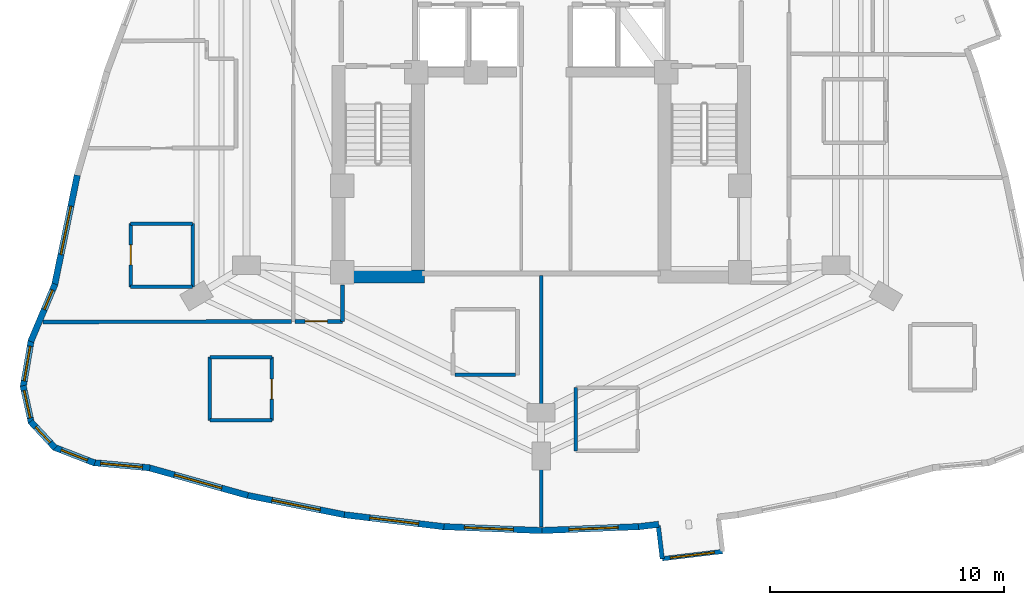
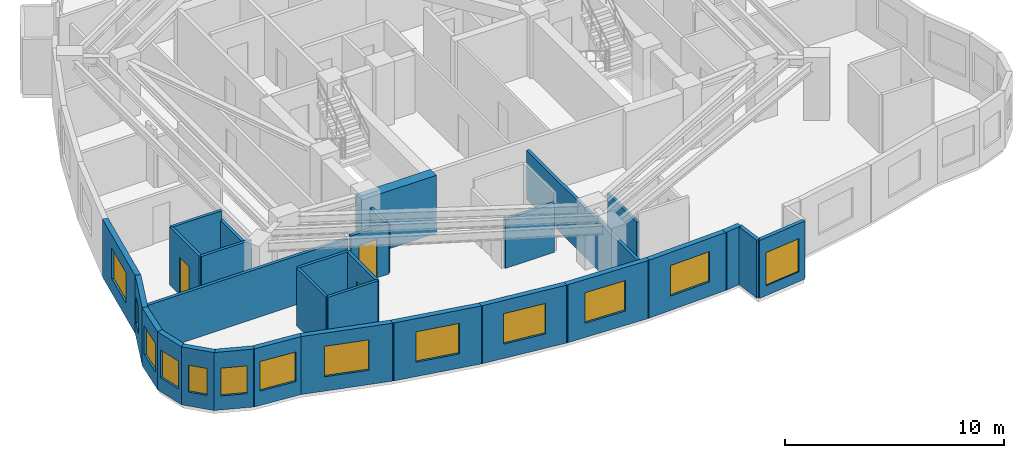
# One storey, part 6 of 12: 30 walls, 13 windows, 3 doors, 16 openings.
"""IFC4 building model written with IfcOpenShell, lengths in metres."""

from ifc_helpers import new_model, si_unit, direction, frame, frame_2d, origin, place, context, subcontext, project, spatial, rectangle, extrude, material, layer, layer_set, type_object, element, fill, save


model = new_model("IFC4")

# Units and contexts
model_context = context("Model", 3, precision=1e-05, world=origin(), true_north=direction((0.0, 1.0)))
body_context = subcontext(model_context, "Body", "Model", "MODEL_VIEW")
ifc_project = project(units=[si_unit("LENGTHUNIT", "METRE"), si_unit("AREAUNIT", "SQUARE_METRE"), si_unit("VOLUMEUNIT", "CUBIC_METRE"), si_unit("PLANEANGLEUNIT", "RADIAN"), si_unit("MASSUNIT", "GRAM", prefix="KILO")], contexts=[model_context])

# Site, building, storey
site_placement = place(None, origin())
site = spatial("IfcSite", under=ifc_project, at=site_placement, CompositionType="ELEMENT")
building_placement = place(site_placement, origin())
building = spatial("IfcBuilding", under=site, at=building_placement, Name="Miruveldt Soraemaru", CompositionType="ELEMENT")
storey_placement = place(building_placement, frame((0.0, 0.0, 110.89990234375)))
storey = spatial("IfcBuildingStorey", under=building, at=storey_placement, Name="L30", CompositionType="ELEMENT", Elevation=110.89990234375)

# Wall
ifc_material_1 = material(Name="White powder-coated aluminium EN AW-6060 T6", Category="aluminium")
ifc_layer_1 = layer(ifc_material_1, 0.18994140625, Name="White powder-coated aluminium EN AW-6060 T6", Category="aluminium")
ifc_layer_set_1 = layer_set([ifc_layer_1], Name="White powder-coated aluminium EN AW-6060 T6")
wall_type_1 = type_object("IfcWallType", Name="WALL-BAY-ALU190", PredefinedType="SOLIDWALL", material=ifc_layer_set_1)
wall_1_placement = place(storey_placement, frame((49.00439453125, 24.66650390625, 0.0), z_axis=(0.0, 0.0, 1.0), x_axis=(0.119246559468, -0.992864672579, 0.0)))
element("IfcWall", 1, at=wall_1_placement, inside=storey, type_object=wall_type_1, Name="L30 Bay Window Side Cheek 1L", PredefinedType="SOLIDWALL", context=body_context, shape_type="SweptSolid", body=[
    extrude(rectangle(XDim=1.425048828125, YDim=0.18994140625, at=frame_2d((0.71240234375, 0.0))), origin(), (0.0, 0.0, 1.0), 3.235107421875),
])

# Wall, opening, window
wall_2_placement = place(storey_placement, frame((49.17431640625, 23.251708984375, 0.0), z_axis=(0.0, 0.0, 1.0), x_axis=(0.992885278793, 0.119074863663, 0.0)))
wall_2 = element("IfcWall", 2, at=wall_2_placement, inside=storey, type_object=wall_type_1, Name="L30 Bay Window Front Frame 1", PredefinedType="SOLIDWALL", context=body_context, shape_type="SweptSolid", body=[
    extrude(rectangle(XDim=2.599853515625, YDim=0.18994140625, at=frame_2d((1.2998046875, 0.0))), origin(), (0.0, 0.0, 1.0), 3.235107421875),
])
opening_1_placement = place(wall_2_placement, frame((0.35009765625, 0.0, 0.550048828125)))
opening_1 = element("IfcOpeningElement", 3, at=opening_1_placement, cuts=wall_2, Name="Opening WN-6", PredefinedType="OPENING", context=body_context, shape_type="SweptSolid", body=[
    extrude(rectangle(XDim=1.89990234375, YDim=1.85009765625, at=frame_2d((0.949951171875, 0.925048828125))), frame((0.0, 0.10498046875, 0.0), z_axis=(0.0, -1.0, 0.0), x_axis=(1.0, 0.0, 0.0)), (0.0, 0.0, 1.0), 0.2099609375),
])
ifc_material_2 = material(Name="Triple low-e insulated glazing", Category="glass")
window_type_1 = type_object("IfcWindowType", Name="WIN-BAYW-1900x1850", PartitioningType="SINGLE_PANEL", PredefinedType="WINDOW", material=ifc_material_2)
window_1_placement = place(opening_1_placement, origin())
window_1 = element("IfcWindow", 4, at=window_1_placement, inside=storey, type_object=window_type_1, Name="L30 Projecting Bay Window 1", OverallHeight=1.85009765625, OverallWidth=1.89990234375, PartitioningType="SINGLE_PANEL", PredefinedType="WINDOW", context=body_context, shape_type="SweptSolid", body=[
    extrude(rectangle(XDim=1.89990234375, YDim=1.85009765625, at=frame_2d((0.949951171875, 0.925048828125))), frame((0.0, 0.030029296875, 0.0), z_axis=(0.0, -1.0, 0.0), x_axis=(1.0, 0.0, 0.0)), (0.0, 0.0, 1.0), 0.06005859375),
])
fill(opening_1, window_1)

# Wall
ifc_material_3 = material(Name="Concrete C70/85 (70 MPa)", Category="concrete")
ifc_layer_2 = layer(ifc_material_3, 0.550048828125, Name="Concrete C70/85 (70 MPa)", Category="concrete")
ifc_layer_set_2 = layer_set([ifc_layer_2], Name="Concrete C70/85 (70 MPa)")
wall_type_2 = type_object("IfcWallType", Name="WALL-CW-550", PredefinedType="SHEAR", material=ifc_layer_set_2)
wall_3_placement = place(storey_placement, frame((35.050048828125, 35.324951171875, 0.0), z_axis=(0.0, 0.0, 1.0), x_axis=(1.0, 0.0, 0.0)))
element("IfcWall", 5, at=wall_3_placement, inside=storey, type_object=wall_type_2, Name="L30 Central Core Shear Wall S1", PredefinedType="SHEAR", context=body_context, shape_type="SweptSolid", body=[
    extrude(rectangle(XDim=3.949951171875, YDim=0.550048828125, at=frame_2d((1.97509765625, 0.0))), origin(), (0.0, 0.0, 1.0), 3.235107421875),
])

# Wall, opening, window
ifc_material_4 = material(Name="Precast concrete C45/55 (45 MPa)", Category="concrete")
ifc_layer_3 = layer(ifc_material_4, 0.27001953125, Name="Precast concrete C45/55 (45 MPa)", Category="concrete")
ifc_layer_set_3 = layer_set([ifc_layer_3], Name="Precast concrete C45/55 (45 MPa)")
wall_type_3 = type_object("IfcWallType", Name="WALL-EXT-PC270", PredefinedType="SOLIDWALL", material=ifc_layer_set_3)
wall_4_placement = place(storey_placement, frame((24.16162109375, 39.652099609375, 0.0), z_axis=(0.0, 0.0, 1.0), x_axis=(-0.201557182252, -0.97947674923, 0.0)))
wall_4 = element("IfcWall", 6, at=wall_4_placement, inside=storey, type_object=wall_type_3, Name="L30 Precast Concrete Facade Wall 14", PredefinedType="SOLIDWALL", context=body_context, shape_type="SweptSolid", body=[
    extrude(rectangle(XDim=4.82080078125, YDim=0.27001953125, at=frame_2d((2.410400390625, 0.0))), origin(), (0.0, 0.0, 1.0), 3.235107421875),
])
opening_2_placement = place(wall_4_placement, frame((1.360107421875, 0.0, 0.800048828125)))
opening_2 = element("IfcOpeningElement", 7, at=opening_2_placement, cuts=wall_4, Name="Opening WN-1", PredefinedType="OPENING", context=body_context, shape_type="SweptSolid", body=[
    extrude(rectangle(XDim=2.10009765625, YDim=1.699951171875, at=frame_2d((1.050048828125, 0.85009765625))), frame((0.0, 0.14501953125, 0.0), z_axis=(0.0, -1.0, 0.0), x_axis=(1.0, 0.0, 0.0)), (0.0, 0.0, 1.0), 0.2900390625),
])
window_type_2 = type_object("IfcWindowType", Name="WIN-PUNCH-2100x1700", PartitioningType="SINGLE_PANEL", PredefinedType="WINDOW", material=ifc_material_2)
window_2_placement = place(opening_2_placement, origin())
window_2 = element("IfcWindow", 8, at=window_2_placement, inside=storey, type_object=window_type_2, Name="L30 Punched Triple-Glazed Window 14.1", OverallHeight=1.699951171875, OverallWidth=2.10009765625, PartitioningType="SINGLE_PANEL", PredefinedType="WINDOW", context=body_context, shape_type="SweptSolid", body=[
    extrude(rectangle(XDim=2.10009765625, YDim=1.699951171875, at=frame_2d((1.050048828125, 0.85009765625))), frame((0.0, 0.030029296875, 0.0), z_axis=(0.0, -1.0, 0.0), x_axis=(1.0, 0.0, 0.0)), (0.0, 0.0, 1.0), 0.06005859375),
])
fill(opening_2, window_2)

wall_5_placement = place(storey_placement, frame((23.210693359375, 34.99658203125, 0.0), z_axis=(0.0, 0.0, 1.0), x_axis=(-0.38867133727, -0.921376465721, 0.0)))
wall_5 = element("IfcWall", 9, at=wall_5_placement, inside=storey, type_object=wall_type_3, Name="L30 Precast Concrete Facade Wall 15", PredefinedType="SOLIDWALL", context=body_context, shape_type="SweptSolid", body=[
    extrude(rectangle(XDim=2.66455078125, YDim=0.27001953125, at=frame_2d((1.332275390625, 0.0))), origin(), (0.0, 0.0, 1.0), 3.235107421875),
])
opening_3_placement = place(wall_5_placement, frame((0.279052734375, 0.0, 0.780029296875)))
opening_3 = element("IfcOpeningElement", 10, at=opening_3_placement, cuts=wall_5, Name="Opening WN-7", PredefinedType="OPENING", context=body_context, shape_type="SweptSolid", body=[
    extrude(rectangle(XDim=0.89990234375, YDim=1.5, at=frame_2d((0.449951171875, 0.75))), frame((0.0, 0.14501953125, 0.0), z_axis=(0.0, -1.0, 0.0), x_axis=(1.0, 0.0, 0.0)), (0.0, 0.0, 1.0), 0.2900390625),
])
window_type_3 = type_object("IfcWindowType", Name="WIN-PUNCH-900x1500", PartitioningType="SINGLE_PANEL", PredefinedType="WINDOW", material=ifc_material_2)
window_3_placement = place(opening_3_placement, origin())
window_3 = element("IfcWindow", 11, at=window_3_placement, inside=storey, type_object=window_type_3, Name="L30 Punched Triple-Glazed Window 15.1", OverallHeight=1.5, OverallWidth=0.89990234375, PartitioningType="SINGLE_PANEL", PredefinedType="WINDOW", context=body_context, shape_type="SweptSolid", body=[
    extrude(rectangle(XDim=0.89990234375, YDim=1.5, at=frame_2d((0.449951171875, 0.75))), frame((0.0, 0.030029296875, 0.0), z_axis=(0.0, -1.0, 0.0), x_axis=(1.0, 0.0, 0.0)), (0.0, 0.0, 1.0), 0.06005859375),
])
fill(opening_3, window_3)

wall_6_placement = place(storey_placement, frame((22.194580078125, 32.608154296875, 0.0), z_axis=(0.0, 0.0, 1.0), x_axis=(-0.16931007095, -0.985562834057, 0.0)))
wall_6 = element("IfcWall", 12, at=wall_6_placement, inside=storey, type_object=wall_type_3, Name="L30 Precast Concrete Facade Wall 16", PredefinedType="SOLIDWALL", context=body_context, shape_type="SweptSolid", body=[
    extrude(rectangle(XDim=2.054931640625, YDim=0.27001953125, at=frame_2d((1.02734375, 0.0))), origin(), (0.0, 0.0, 1.0), 3.235107421875),
])
opening_4_placement = place(wall_6_placement, frame((0.278076171875, 0.0, 0.800048828125)))
opening_4 = element("IfcOpeningElement", 13, at=opening_4_placement, cuts=wall_6, Name="Opening WN-3", PredefinedType="OPENING", context=body_context, shape_type="SweptSolid", body=[
    extrude(rectangle(XDim=1.5, YDim=1.60009765625, at=frame_2d((0.75, 0.800048828125))), frame((0.0, 0.14501953125, 0.0), z_axis=(0.0, -1.0, 0.0), x_axis=(1.0, 0.0, 0.0)), (0.0, 0.0, 1.0), 0.2900390625),
])
window_type_4 = type_object("IfcWindowType", Name="WIN-PUNCH-1500x1600", PartitioningType="SINGLE_PANEL", PredefinedType="WINDOW", material=ifc_material_2)
window_4_placement = place(opening_4_placement, origin())
window_4 = element("IfcWindow", 14, at=window_4_placement, inside=storey, type_object=window_type_4, Name="L30 Punched Triple-Glazed Window 16.1", OverallHeight=1.60009765625, OverallWidth=1.5, PartitioningType="SINGLE_PANEL", PredefinedType="WINDOW", context=body_context, shape_type="SweptSolid", body=[
    extrude(rectangle(XDim=1.5, YDim=1.60009765625, at=frame_2d((0.75, 0.800048828125))), frame((0.0, 0.030029296875, 0.0), z_axis=(0.0, -1.0, 0.0), x_axis=(1.0, 0.0, 0.0)), (0.0, 0.0, 1.0), 0.06005859375),
])
fill(opening_4, window_4)

wall_7_placement = place(storey_placement, frame((21.844970703125, 30.651611328125, 0.0), z_axis=(0.0, 0.0, 1.0), x_axis=(0.215628344591, -0.976475507634, 0.0)))
wall_7 = element("IfcWall", 15, at=wall_7_placement, inside=storey, type_object=wall_type_3, Name="L30 Precast Concrete Facade Wall 17", PredefinedType="SOLIDWALL", context=body_context, shape_type="SweptSolid", body=[
    extrude(rectangle(XDim=1.628173828125, YDim=0.27001953125, at=frame_2d((0.81396484375, 0.0))), origin(), (0.0, 0.0, 1.0), 3.235107421875),
])
opening_5_placement = place(wall_7_placement, frame((0.214111328125, 0.0, 0.780029296875)))
opening_5 = element("IfcOpeningElement", 16, at=opening_5_placement, cuts=wall_7, Name="Opening WN-4", PredefinedType="OPENING", context=body_context, shape_type="SweptSolid", body=[
    extrude(rectangle(XDim=1.199951171875, YDim=1.550048828125, at=frame_2d((0.60009765625, 0.77490234375))), frame((0.0, 0.14501953125, 0.0), z_axis=(0.0, -1.0, 0.0), x_axis=(1.0, 0.0, 0.0)), (0.0, 0.0, 1.0), 0.2900390625),
])
window_type_5 = type_object("IfcWindowType", Name="WIN-PUNCH-1200x1550", PartitioningType="SINGLE_PANEL", PredefinedType="WINDOW", material=ifc_material_2)
window_5_placement = place(opening_5_placement, origin())
window_5 = element("IfcWindow", 17, at=window_5_placement, inside=storey, type_object=window_type_5, Name="L30 Punched Triple-Glazed Window 17.1", OverallHeight=1.550048828125, OverallWidth=1.199951171875, PartitioningType="SINGLE_PANEL", PredefinedType="WINDOW", context=body_context, shape_type="SweptSolid", body=[
    extrude(rectangle(XDim=1.199951171875, YDim=1.550048828125, at=frame_2d((0.60009765625, 0.77490234375))), frame((0.0, 0.030029296875, 0.0), z_axis=(0.0, -1.0, 0.0), x_axis=(1.0, 0.0, 0.0)), (0.0, 0.0, 1.0), 0.06005859375),
])
fill(opening_5, window_5)

wall_8_placement = place(storey_placement, frame((22.164794921875, 29.12158203125, 0.0), z_axis=(0.0, 0.0, 1.0), x_axis=(0.68019166937, -0.733034305418, 0.0)))
wall_8 = element("IfcWall", 18, at=wall_8_placement, inside=storey, type_object=wall_type_3, Name="L30 Precast Concrete Facade Wall 18", PredefinedType="SOLIDWALL", context=body_context, shape_type="SweptSolid", body=[
    extrude(rectangle(XDim=1.552490234375, YDim=0.27001953125, at=frame_2d((0.7763671875, 0.0))), origin(), (0.0, 0.0, 1.0), 3.235107421875),
])
opening_6_placement = place(wall_8_placement, frame((0.325927734375, 0.0, 0.780029296875)))
opening_6 = element("IfcOpeningElement", 19, at=opening_6_placement, cuts=wall_8, Name="Opening WN-7", PredefinedType="OPENING", context=body_context, shape_type="SweptSolid", body=[
    extrude(rectangle(XDim=0.89990234375, YDim=1.5, at=frame_2d((0.449951171875, 0.75))), frame((0.0, 0.14501953125, 0.0), z_axis=(0.0, -1.0, 0.0), x_axis=(1.0, 0.0, 0.0)), (0.0, 0.0, 1.0), 0.2900390625),
])
window_6_placement = place(opening_6_placement, origin())
window_6 = element("IfcWindow", 20, at=window_6_placement, inside=storey, type_object=window_type_3, Name="L30 Punched Triple-Glazed Window 18.1", OverallHeight=1.5, OverallWidth=0.89990234375, PartitioningType="SINGLE_PANEL", PredefinedType="WINDOW", context=body_context, shape_type="SweptSolid", body=[
    extrude(rectangle(XDim=0.89990234375, YDim=1.5, at=frame_2d((0.449951171875, 0.75))), frame((0.0, 0.030029296875, 0.0), z_axis=(0.0, -1.0, 0.0), x_axis=(1.0, 0.0, 0.0)), (0.0, 0.0, 1.0), 0.06005859375),
])
fill(opening_6, window_6)

wall_9_placement = place(storey_placement, frame((23.164306640625, 28.02197265625, 0.0), z_axis=(0.0, 0.0, 1.0), x_axis=(0.932266214278, -0.361773003023, 0.0)))
wall_9 = element("IfcWall", 21, at=wall_9_placement, inside=storey, type_object=wall_type_3, Name="L30 Precast Concrete Facade Wall 19", PredefinedType="SOLIDWALL", context=body_context, shape_type="SweptSolid", body=[
    extrude(rectangle(XDim=1.872802734375, YDim=0.27001953125, at=frame_2d((0.9365234375, 0.0))), origin(), (0.0, 0.0, 1.0), 3.235107421875),
])
opening_7_placement = place(wall_9_placement, frame((0.3369140625, 0.0, 0.780029296875)))
opening_7 = element("IfcOpeningElement", 22, at=opening_7_placement, cuts=wall_9, Name="Opening WN-4", PredefinedType="OPENING", context=body_context, shape_type="SweptSolid", body=[
    extrude(rectangle(XDim=1.199951171875, YDim=1.550048828125, at=frame_2d((0.60009765625, 0.77490234375))), frame((0.0, 0.14501953125, 0.0), z_axis=(0.0, -1.0, 0.0), x_axis=(1.0, 0.0, 0.0)), (0.0, 0.0, 1.0), 0.2900390625),
])
window_7_placement = place(opening_7_placement, origin())
window_7 = element("IfcWindow", 23, at=window_7_placement, inside=storey, type_object=window_type_5, Name="L30 Punched Triple-Glazed Window 19.1", OverallHeight=1.550048828125, OverallWidth=1.199951171875, PartitioningType="SINGLE_PANEL", PredefinedType="WINDOW", context=body_context, shape_type="SweptSolid", body=[
    extrude(rectangle(XDim=1.199951171875, YDim=1.550048828125, at=frame_2d((0.60009765625, 0.77490234375))), frame((0.0, 0.030029296875, 0.0), z_axis=(0.0, -1.0, 0.0), x_axis=(1.0, 0.0, 0.0)), (0.0, 0.0, 1.0), 0.06005859375),
])
fill(opening_7, window_7)

wall_10_placement = place(storey_placement, frame((24.8427734375, 27.360595703125, 0.0), z_axis=(0.0, 0.0, 1.0), x_axis=(0.995757206461, -0.092019485874, 0.0)))
wall_10 = element("IfcWall", 24, at=wall_10_placement, inside=storey, type_object=wall_type_3, Name="L30 Precast Concrete Facade Wall 20", PredefinedType="SOLIDWALL", context=body_context, shape_type="SweptSolid", body=[
    extrude(rectangle(XDim=2.432861328125, YDim=0.27001953125, at=frame_2d((1.21630859375, 0.0))), origin(), (0.0, 0.0, 1.0), 3.235107421875),
])
opening_8_placement = place(wall_10_placement, frame((0.31689453125, 0.0, 0.800048828125)))
opening_8 = element("IfcOpeningElement", 25, at=opening_8_placement, cuts=wall_10, Name="Opening WN-2", PredefinedType="OPENING", context=body_context, shape_type="SweptSolid", body=[
    extrude(rectangle(XDim=1.800048828125, YDim=1.64990234375, at=frame_2d((0.89990234375, 0.824951171875))), frame((0.0, 0.14501953125, 0.0), z_axis=(0.0, -1.0, 0.0), x_axis=(1.0, 0.0, 0.0)), (0.0, 0.0, 1.0), 0.2900390625),
])
window_type_6 = type_object("IfcWindowType", Name="WIN-PUNCH-1800x1650", PartitioningType="SINGLE_PANEL", PredefinedType="WINDOW", material=ifc_material_2)
window_8_placement = place(opening_8_placement, origin())
window_8 = element("IfcWindow", 26, at=window_8_placement, inside=storey, type_object=window_type_6, Name="L30 Punched Triple-Glazed Window 20.1", OverallHeight=1.64990234375, OverallWidth=1.800048828125, PartitioningType="SINGLE_PANEL", PredefinedType="WINDOW", context=body_context, shape_type="SweptSolid", body=[
    extrude(rectangle(XDim=1.800048828125, YDim=1.64990234375, at=frame_2d((0.89990234375, 0.824951171875))), frame((0.0, 0.030029296875, 0.0), z_axis=(0.0, -1.0, 0.0), x_axis=(1.0, 0.0, 0.0)), (0.0, 0.0, 1.0), 0.06005859375),
])
fill(opening_8, window_8)

wall_11_placement = place(storey_placement, frame((27.19677734375, 27.1494140625, 0.0), z_axis=(0.0, 0.0, 1.0), x_axis=(0.962970324639, -0.269607406916, 0.0)))
wall_11 = element("IfcWall", 27, at=wall_11_placement, inside=storey, type_object=wall_type_3, Name="L30 Precast Concrete Facade Wall 21", PredefinedType="SOLIDWALL", context=body_context, shape_type="SweptSolid", body=[
    extrude(rectangle(XDim=4.423583984375, YDim=0.27001953125, at=frame_2d((2.2119140625, 0.0))), origin(), (0.0, 0.0, 1.0), 3.235107421875),
])
opening_9_placement = place(wall_11_placement, frame((1.162109375, 0.0, 0.800048828125)))
opening_9 = element("IfcOpeningElement", 28, at=opening_9_placement, cuts=wall_11, Name="Opening WN-1", PredefinedType="OPENING", context=body_context, shape_type="SweptSolid", body=[
    extrude(rectangle(XDim=2.10009765625, YDim=1.699951171875, at=frame_2d((1.050048828125, 0.85009765625))), frame((0.0, 0.14501953125, 0.0), z_axis=(0.0, -1.0, 0.0), x_axis=(1.0, 0.0, 0.0)), (0.0, 0.0, 1.0), 0.2900390625),
])
window_9_placement = place(opening_9_placement, origin())
window_9 = element("IfcWindow", 29, at=window_9_placement, inside=storey, type_object=window_type_2, Name="L30 Punched Triple-Glazed Window 21.1", OverallHeight=1.699951171875, OverallWidth=2.10009765625, PartitioningType="SINGLE_PANEL", PredefinedType="WINDOW", context=body_context, shape_type="SweptSolid", body=[
    extrude(rectangle(XDim=2.10009765625, YDim=1.699951171875, at=frame_2d((1.050048828125, 0.85009765625))), frame((0.0, 0.030029296875, 0.0), z_axis=(0.0, -1.0, 0.0), x_axis=(1.0, 0.0, 0.0)), (0.0, 0.0, 1.0), 0.06005859375),
])
fill(opening_9, window_9)

wall_12_placement = place(storey_placement, frame((31.388427734375, 25.972900390625, 0.0), z_axis=(0.0, 0.0, 1.0), x_axis=(0.98057635362, -0.196137744255, 0.0)))
wall_12 = element("IfcWall", 30, at=wall_12_placement, inside=storey, type_object=wall_type_3, Name="L30 Precast Concrete Facade Wall 22", PredefinedType="SOLIDWALL", context=body_context, shape_type="SweptSolid", body=[
    extrude(rectangle(XDim=4.345458984375, YDim=0.27001953125, at=frame_2d((2.1728515625, 0.0))), origin(), (0.0, 0.0, 1.0), 3.235107421875),
])
opening_10_placement = place(wall_12_placement, frame((1.1220703125, 0.0, 0.800048828125)))
opening_10 = element("IfcOpeningElement", 31, at=opening_10_placement, cuts=wall_12, Name="Opening WN-1", PredefinedType="OPENING", context=body_context, shape_type="SweptSolid", body=[
    extrude(rectangle(XDim=2.10009765625, YDim=1.699951171875, at=frame_2d((1.050048828125, 0.85009765625))), frame((0.0, 0.14501953125, 0.0), z_axis=(0.0, -1.0, 0.0), x_axis=(1.0, 0.0, 0.0)), (0.0, 0.0, 1.0), 0.2900390625),
])
window_10_placement = place(opening_10_placement, origin())
window_10 = element("IfcWindow", 32, at=window_10_placement, inside=storey, type_object=window_type_2, Name="L30 Punched Triple-Glazed Window 22.1", OverallHeight=1.699951171875, OverallWidth=2.10009765625, PartitioningType="SINGLE_PANEL", PredefinedType="WINDOW", context=body_context, shape_type="SweptSolid", body=[
    extrude(rectangle(XDim=2.10009765625, YDim=1.699951171875, at=frame_2d((1.050048828125, 0.85009765625))), frame((0.0, 0.030029296875, 0.0), z_axis=(0.0, -1.0, 0.0), x_axis=(1.0, 0.0, 0.0)), (0.0, 0.0, 1.0), 0.06005859375),
])
fill(opening_10, window_10)

wall_13_placement = place(storey_placement, frame((35.580322265625, 25.1318359375, 0.0), z_axis=(0.0, 0.0, 1.0), x_axis=(0.992875761938, -0.119154191514, 0.0)))
wall_13 = element("IfcWall", 33, at=wall_13_placement, inside=storey, type_object=wall_type_3, Name="L30 Precast Concrete Facade Wall 23", PredefinedType="SOLIDWALL", context=body_context, shape_type="SweptSolid", body=[
    extrude(rectangle(XDim=4.29248046875, YDim=0.27001953125, at=frame_2d((2.146240234375, 0.0))), origin(), (0.0, 0.0, 1.0), 3.235107421875),
])
opening_11_placement = place(wall_13_placement, frame((1.096923828125, 0.0, 0.800048828125)))
opening_11 = element("IfcOpeningElement", 34, at=opening_11_placement, cuts=wall_13, Name="Opening WN-1", PredefinedType="OPENING", context=body_context, shape_type="SweptSolid", body=[
    extrude(rectangle(XDim=2.10009765625, YDim=1.699951171875, at=frame_2d((1.050048828125, 0.85009765625))), frame((0.0, 0.14501953125, 0.0), z_axis=(0.0, -1.0, 0.0), x_axis=(1.0, 0.0, 0.0)), (0.0, 0.0, 1.0), 0.2900390625),
])
window_11_placement = place(opening_11_placement, origin())
window_11 = element("IfcWindow", 35, at=window_11_placement, inside=storey, type_object=window_type_2, Name="L30 Punched Triple-Glazed Window 23.1", OverallHeight=1.699951171875, OverallWidth=2.10009765625, PartitioningType="SINGLE_PANEL", PredefinedType="WINDOW", context=body_context, shape_type="SweptSolid", body=[
    extrude(rectangle(XDim=2.10009765625, YDim=1.699951171875, at=frame_2d((1.050048828125, 0.85009765625))), frame((0.0, 0.030029296875, 0.0), z_axis=(0.0, -1.0, 0.0), x_axis=(1.0, 0.0, 0.0)), (0.0, 0.0, 1.0), 0.06005859375),
])
fill(opening_11, window_11)

wall_14_placement = place(storey_placement, frame((39.772705078125, 24.6259765625, 0.0), z_axis=(0.0, 0.0, 1.0), x_axis=(0.999199403675, -0.040006895588, 0.0)))
wall_14 = element("IfcWall", 36, at=wall_14_placement, inside=storey, type_object=wall_type_3, Name="L30 Precast Concrete Facade Wall 24", PredefinedType="SOLIDWALL", context=body_context, shape_type="SweptSolid", body=[
    extrude(rectangle(XDim=4.265625, YDim=0.27001953125, at=frame_2d((2.1328125, 0.0))), origin(), (0.0, 0.0, 1.0), 3.235107421875),
])
opening_12_placement = place(wall_14_placement, frame((0.943115234375, 0.0, 0.800048828125)))
opening_12 = element("IfcOpeningElement", 37, at=opening_12_placement, cuts=wall_14, Name="Opening WN-1", PredefinedType="OPENING", context=body_context, shape_type="SweptSolid", body=[
    extrude(rectangle(XDim=2.10009765625, YDim=1.699951171875, at=frame_2d((1.050048828125, 0.85009765625))), frame((0.0, 0.14501953125, 0.0), z_axis=(0.0, -1.0, 0.0), x_axis=(1.0, 0.0, 0.0)), (0.0, 0.0, 1.0), 0.2900390625),
])
window_12_placement = place(opening_12_placement, origin())
window_12 = element("IfcWindow", 38, at=window_12_placement, inside=storey, type_object=window_type_2, Name="L30 Punched Triple-Glazed Window 24.1", OverallHeight=1.699951171875, OverallWidth=2.10009765625, PartitioningType="SINGLE_PANEL", PredefinedType="WINDOW", context=body_context, shape_type="SweptSolid", body=[
    extrude(rectangle(XDim=2.10009765625, YDim=1.699951171875, at=frame_2d((1.050048828125, 0.85009765625))), frame((0.0, 0.030029296875, 0.0), z_axis=(0.0, -1.0, 0.0), x_axis=(1.0, 0.0, 0.0)), (0.0, 0.0, 1.0), 0.06005859375),
])
fill(opening_12, window_12)

wall_15_placement = place(storey_placement, frame((43.965087890625, 24.455322265625, 0.0), z_axis=(0.0, 0.0, 1.0), x_axis=(0.999199403675, 0.040006895588, 0.0)))
wall_15 = element("IfcWall", 39, at=wall_15_placement, inside=storey, type_object=wall_type_3, Name="L30 Precast Concrete Facade Wall 25", PredefinedType="SOLIDWALL", context=body_context, shape_type="SweptSolid", body=[
    extrude(rectangle(XDim=4.265625, YDim=0.27001953125, at=frame_2d((2.1328125, 0.0))), origin(), (0.0, 0.0, 1.0), 3.235107421875),
])
opening_13_placement = place(wall_15_placement, frame((1.22412109375, 0.0, 0.800048828125)))
opening_13 = element("IfcOpeningElement", 40, at=opening_13_placement, cuts=wall_15, Name="Opening WN-1", PredefinedType="OPENING", context=body_context, shape_type="SweptSolid", body=[
    extrude(rectangle(XDim=2.10009765625, YDim=1.699951171875, at=frame_2d((1.050048828125, 0.85009765625))), frame((0.0, 0.14501953125, 0.0), z_axis=(0.0, -1.0, 0.0), x_axis=(1.0, 0.0, 0.0)), (0.0, 0.0, 1.0), 0.2900390625),
])
window_13_placement = place(opening_13_placement, origin())
window_13 = element("IfcWindow", 41, at=window_13_placement, inside=storey, type_object=window_type_2, Name="L30 Punched Triple-Glazed Window 25.1", OverallHeight=1.699951171875, OverallWidth=2.10009765625, PartitioningType="SINGLE_PANEL", PredefinedType="WINDOW", context=body_context, shape_type="SweptSolid", body=[
    extrude(rectangle(XDim=2.10009765625, YDim=1.699951171875, at=frame_2d((1.050048828125, 0.85009765625))), frame((0.0, 0.030029296875, 0.0), z_axis=(0.0, -1.0, 0.0), x_axis=(1.0, 0.0, 0.0)), (0.0, 0.0, 1.0), 0.06005859375),
])
fill(opening_13, window_13)

# Wall
wall_16_placement = place(storey_placement, frame((48.15771484375, 24.620361328125, 0.0), z_axis=(0.0, 0.0, 1.0), x_axis=(0.992862326792, 0.119266089213, 0.0)))
element("IfcWall", 42, at=wall_16_placement, inside=storey, type_object=wall_type_3, Name="L30 Precast Pier Wall 26A", PredefinedType="SOLIDWALL", context=body_context, shape_type="SweptSolid", body=[
    extrude(rectangle(XDim=0.876220703125, YDim=0.27001953125, at=frame_2d((0.43798828125, 0.0))), origin(), (0.0, 0.0, 1.0), 3.235107421875),
])

# Wall, opening, door
ifc_material_5 = material(Name="Gypsum plasterboard lining", Category="gypsum")
ifc_layer_4 = layer(ifc_material_5, 0.14990234375, Name="Gypsum plasterboard lining", Category="gypsum")
ifc_layer_set_4 = layer_set([ifc_layer_4], Name="Gypsum plasterboard lining")
wall_type_4 = type_object("IfcWallType", Name="WALL-INT-PLUMB", PredefinedType="PLUMBINGWALL", material=ifc_layer_set_4)
wall_17_placement = place(storey_placement, frame((32.48193359375, 29.1689453125, 0.0), z_axis=(0.0, 0.0, 1.0), x_axis=(0.0, 1.0, 0.0)))
wall_17 = element("IfcWall", 43, at=wall_17_placement, inside=storey, type_object=wall_type_4, Name="L30 Partition Wall 66", PredefinedType="PLUMBINGWALL", context=body_context, shape_type="SweptSolid", body=[
    extrude(rectangle(XDim=2.699951171875, YDim=0.14990234375, at=frame_2d((1.35009765625, 0.0))), origin(), (0.0, 0.0, 1.0), 3.235107421875),
])
opening_14_placement = place(wall_17_placement, frame((0.909912109375, 0.0, 0.0)))
opening_14 = element("IfcOpeningElement", 44, at=opening_14_placement, cuts=wall_17, Name="Opening FD3", PredefinedType="OPENING", context=body_context, shape_type="SweptSolid", body=[
    extrude(rectangle(XDim=0.85009765625, YDim=2.10009765625, at=frame_2d((0.425048828125, 1.050048828125))), frame((0.0, 0.0849609375, 0.0), z_axis=(0.0, -1.0, 0.0), x_axis=(1.0, 0.0, 0.0)), (0.0, 0.0, 1.0), 0.169921875),
])
ifc_material_6 = material(Name="Anodised aluminium EN AW-6063 T6", Category="aluminium")
door_type_1 = type_object("IfcDoorType", Name="DOOR-FD3-850", OperationType="NOTDEFINED", PredefinedType="DOOR", material=ifc_material_6)
door_1_placement = place(opening_14_placement, origin())
door_1 = element("IfcDoor", 45, at=door_1_placement, inside=storey, type_object=door_type_1, Name="L30 Unit CL06 BTH Door", OperationType="SINGLE_SWING_LEFT", OverallHeight=2.10009765625, OverallWidth=0.85009765625, PredefinedType="DOOR", context=body_context, shape_type="SweptSolid", body=[
    extrude(rectangle(XDim=0.85009765625, YDim=2.10009765625, at=frame_2d((0.425048828125, 1.050048828125))), frame((0.0, 0.02490234375, 0.0), z_axis=(0.0, -1.0, 0.0), x_axis=(1.0, 0.0, 0.0)), (0.0, 0.0, 1.0), 0.050048828125),
])
fill(opening_14, door_1)

wall_18_placement = place(storey_placement, frame((26.447021484375, 37.580078125, 0.0), z_axis=(0.0, 0.0, 1.0), x_axis=(0.0, -1.0, 0.0)))
wall_18 = element("IfcWall", 46, at=wall_18_placement, inside=storey, type_object=wall_type_4, Name="L30 Partition Wall 39", PredefinedType="PLUMBINGWALL", context=body_context, shape_type="SweptSolid", body=[
    extrude(rectangle(XDim=2.7001953125, YDim=0.14990234375, at=frame_2d((1.35009765625, 0.0))), origin(), (0.0, 0.0, 1.0), 3.235107421875),
])
opening_15_placement = place(wall_18_placement, frame((0.909912109375, 0.0, 0.0)))
opening_15 = element("IfcOpeningElement", 47, at=opening_15_placement, cuts=wall_18, Name="Opening FD3", PredefinedType="OPENING", context=body_context, shape_type="SweptSolid", body=[
    extrude(rectangle(XDim=0.85009765625, YDim=2.10009765625, at=frame_2d((0.425048828125, 1.050048828125))), frame((0.0, 0.0849609375, 0.0), z_axis=(0.0, -1.0, 0.0), x_axis=(1.0, 0.0, 0.0)), (0.0, 0.0, 1.0), 0.169921875),
])
door_2_placement = place(opening_15_placement, origin())
door_2 = element("IfcDoor", 48, at=door_2_placement, inside=storey, type_object=door_type_1, Name="L30 Unit 3003 BTH Door", OperationType="SINGLE_SWING_LEFT", OverallHeight=2.10009765625, OverallWidth=0.85009765625, PredefinedType="DOOR", context=body_context, shape_type="SweptSolid", body=[
    extrude(rectangle(XDim=0.85009765625, YDim=2.10009765625, at=frame_2d((0.425048828125, 1.050048828125))), frame((0.0, 0.02490234375, 0.0), z_axis=(0.0, -1.0, 0.0), x_axis=(1.0, 0.0, 0.0)), (0.0, 0.0, 1.0), 0.050048828125),
])
fill(opening_15, door_2)

# Walls
wall_19_placement = place(storey_placement, frame((45.47998046875, 30.569091796875, 0.0), z_axis=(0.0, 0.0, 1.0), x_axis=(0.0, -1.0, 0.0)))
element("IfcWall", 49, at=wall_19_placement, inside=storey, type_object=wall_type_4, Name="L30 Partition Wall 51", PredefinedType="PLUMBINGWALL", context=body_context, shape_type="SweptSolid", body=[
    extrude(rectangle(XDim=2.7001953125, YDim=0.14990234375, at=frame_2d((1.35009765625, 0.0))), origin(), (0.0, 0.0, 1.0), 2.72314453125),
])
wall_20_placement = place(storey_placement, frame((29.83203125, 31.868896484375, 0.0), z_axis=(0.0, 0.0, 1.0), x_axis=(0.0, -1.0, 0.0)))
element("IfcWall", 50, at=wall_20_placement, inside=storey, type_object=wall_type_4, Name="L30 Partition Wall 68", PredefinedType="PLUMBINGWALL", context=body_context, shape_type="SweptSolid", body=[
    extrude(rectangle(XDim=2.699951171875, YDim=0.14990234375, at=frame_2d((1.35009765625, 0.0))), origin(), (0.0, 0.0, 1.0), 3.235107421875),
])
wall_21_placement = place(storey_placement, frame((29.096923828125, 34.8798828125, 0.0), z_axis=(0.0, 0.0, 1.0), x_axis=(0.0, 1.0, 0.0)))
element("IfcWall", 51, at=wall_21_placement, inside=storey, type_object=wall_type_4, Name="L30 Partition Wall 37", PredefinedType="PLUMBINGWALL", context=body_context, shape_type="SweptSolid", body=[
    extrude(rectangle(XDim=2.7001953125, YDim=0.14990234375, at=frame_2d((1.35009765625, 0.0))), origin(), (0.0, 0.0, 1.0), 2.72314453125),
])
for number, where, z_axis, x_axis, name in (
    (52, (29.096923828125, 37.580078125, 0.0), (0.0, 0.0, 1.0), (-1.0, 0.0, 0.0), "L30 Partition Wall 38"),
    (53, (26.447021484375, 34.8798828125, 0.0), (0.0, 0.0, 1.0), (1.0, 0.0, 0.0), "L30 Partition Wall 40"),
    (54, (32.48193359375, 31.868896484375, 0.0), (0.0, 0.0, 1.0), (-1.0, 0.0, 0.0), "L30 Partition Wall 67"),
    (55, (29.83203125, 29.1689453125, 0.0), (0.0, 0.0, 1.0), (1.0, 0.0, 0.0), "L30 Partition Wall 69"),
):
    element("IfcWall", number, at=place(storey_placement, frame(where, z_axis=z_axis, x_axis=x_axis)), inside=storey, type_object=wall_type_4, Name=name, PredefinedType="PLUMBINGWALL", context=body_context, shape_type="SweptSolid", body=[
        extrude(rectangle(XDim=2.64990234375, YDim=0.14990234375, at=frame_2d((1.324951171875, 0.0))), origin(), (0.0, 0.0, 1.0), 3.235107421875),
    ])

# Wall, opening, door
ifc_material_7 = material(Name="Concrete C40/50 (40 MPa)", Category="concrete")
ifc_layer_5 = layer(ifc_material_7, 0.159912109375, Name="Concrete C40/50 (40 MPa)", Category="concrete")
ifc_layer_set_5 = layer_set([ifc_layer_5], Name="Concrete C40/50 (40 MPa)")
wall_type_5 = type_object("IfcWallType", Name="WALL-INT-RC160", PredefinedType="SOLIDWALL", material=ifc_layer_set_5)
wall_22_placement = place(storey_placement, frame((33.47998046875, 33.39990234375, 0.0), z_axis=(0.0, 0.0, 1.0), x_axis=(1.0, 0.0, 0.0)))
wall_22 = element("IfcWall", 56, at=wall_22_placement, inside=storey, type_object=wall_type_5, Name="L30 Partition Wall 7", PredefinedType="SOLIDWALL", context=body_context, shape_type="SweptSolid", body=[
    extrude(rectangle(XDim=2.02001953125, YDim=0.159912109375, at=frame_2d((1.010009765625, 0.0))), origin(), (0.0, 0.0, 1.0), 2.822998046875),
])
opening_16_placement = place(wall_22_placement, frame((0.425048828125, 0.0, 0.0)))
opening_16 = element("IfcOpeningElement", 57, at=opening_16_placement, cuts=wall_22, Name="Opening FD2", PredefinedType="OPENING", context=body_context, shape_type="SweptSolid", body=[
    extrude(rectangle(XDim=0.949951171875, YDim=2.14990234375, at=frame_2d((0.47509765625, 1.074951171875))), frame((0.0, 0.08984375, 0.0), z_axis=(0.0, -1.0, 0.0), x_axis=(1.0, 0.0, 0.0)), (0.0, 0.0, 1.0), 0.179931640625),
])
door_type_2 = type_object("IfcDoorType", Name="DOOR-FD2-950", OperationType="NOTDEFINED", PredefinedType="DOOR", material=ifc_material_6)
door_3_placement = place(opening_16_placement, origin())
door_3 = element("IfcDoor", 58, at=door_3_placement, inside=storey, type_object=door_type_2, Name="L30 Unit CL06 Entrance Fire Door", OperationType="SINGLE_SWING_RIGHT", OverallHeight=2.14990234375, OverallWidth=0.949951171875, PredefinedType="DOOR", context=body_context, shape_type="SweptSolid", body=[
    extrude(rectangle(XDim=0.949951171875, YDim=2.14990234375, at=frame_2d((0.47509765625, 1.074951171875))), frame((0.0, 0.02490234375, 0.0), z_axis=(0.0, -1.0, 0.0), x_axis=(1.0, 0.0, 0.0)), (0.0, 0.0, 1.0), 0.050048828125),
])
fill(opening_16, door_3)

# Walls
wall_23_placement = place(storey_placement, frame((44.0, 35.364990234375, 0.0), z_axis=(0.0, 0.0, 1.0), x_axis=(0.0, -1.0, 0.0)))
element("IfcWall", 59, at=wall_23_placement, inside=storey, type_object=wall_type_5, Name="L30 Partition Wall 58", PredefinedType="SOLIDWALL", context=body_context, shape_type="SweptSolid", body=[
    extrude(rectangle(XDim=10.758056640625, YDim=0.159912109375, at=frame_2d((5.37890625, 0.0))), origin(), (0.0, 0.0, 1.0), 2.72314453125),
])
wall_24_placement = place(storey_placement, frame((22.68896484375, 33.3740234375, 0.0), z_axis=(0.0, 0.0, 1.0), x_axis=(0.999997037194, 0.002434256193, 0.0)))
element("IfcWall", 60, at=wall_24_placement, inside=storey, type_object=wall_type_5, Name="L30 Partition Wall 48", PredefinedType="SOLIDWALL", context=body_context, shape_type="SweptSolid", body=[
    extrude(rectangle(XDim=10.631103515625, YDim=0.159912109375, at=frame_2d((5.3154296875, 0.0))), origin(), (0.0, 0.0, 1.0), 2.72314453125),
])
wall_25_placement = place(storey_placement, frame((40.31201171875, 31.118896484375, 0.0), z_axis=(0.0, 0.0, 1.0), x_axis=(1.0, 0.0, 0.0)))
element("IfcWall", 61, at=wall_25_placement, inside=storey, type_object=wall_type_5, Name="L30 Partition Wall 73", PredefinedType="SOLIDWALL", context=body_context, shape_type="SweptSolid", body=[
    extrude(rectangle(XDim=2.590087890625, YDim=0.159912109375, at=frame_2d((1.294921875, 0.0))), origin(), (0.0, 0.0, 1.0), 2.735107421875),
])
wall_26_placement = place(storey_placement, frame((35.5, 33.39990234375, 0.0), z_axis=(0.0, 0.0, 1.0), x_axis=(0.0, 1.0, 0.0)))
element("IfcWall", 62, at=wall_26_placement, inside=storey, type_object=wall_type_5, Name="L30 Partition Wall 8", PredefinedType="SOLIDWALL", context=body_context, shape_type="SweptSolid", body=[
    extrude(rectangle(XDim=1.547119140625, YDim=0.159912109375, at=frame_2d((0.7734375, 0.0))), origin(), (0.0, 0.0, 1.0), 2.735107421875),
])

save(model, "model.ifc")
